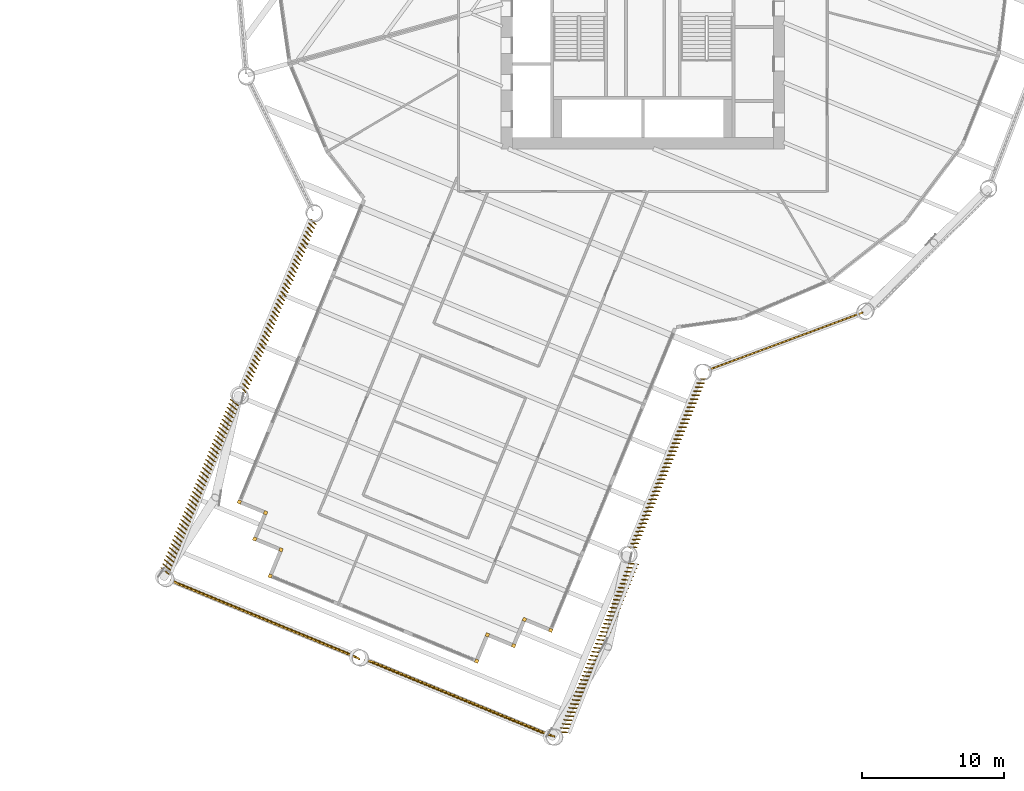
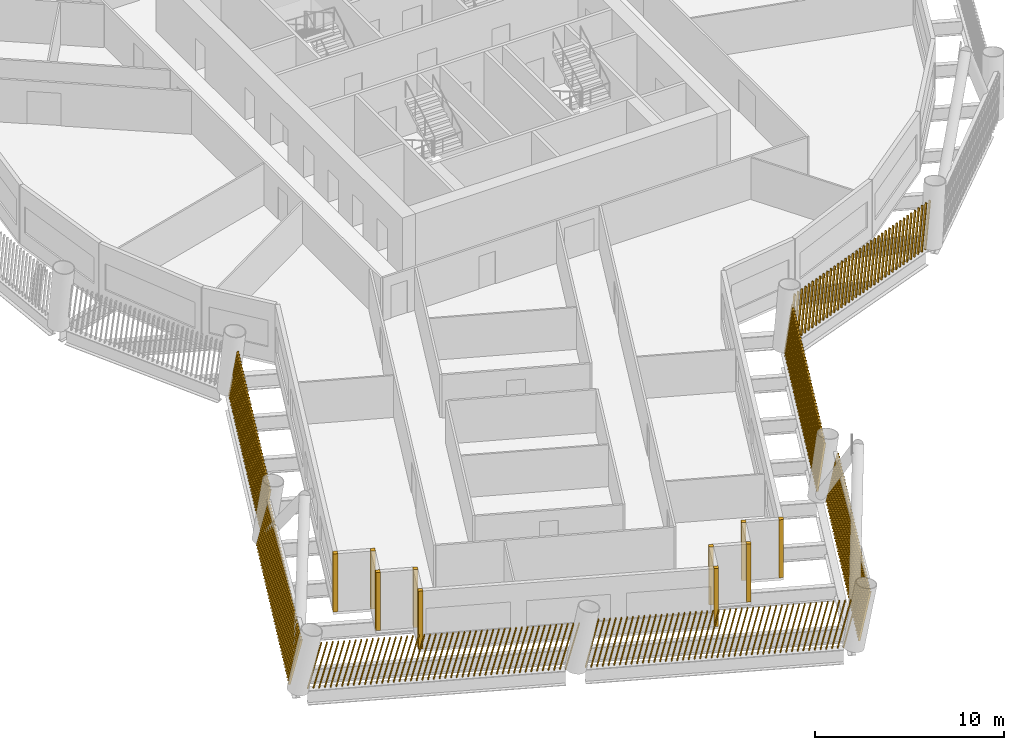
# One storey, part 18 of 23: 17 shading devices.
"""IFC4 building model written with IfcOpenShell, lengths in metres."""

from ifc_helpers import new_model, si_unit, direction, frame, frame_2d, origin, origin_2d, place, context, subcontext, project, spatial, rectangle, composite_profile, extrude, material, type_object, element, save


model = new_model("IFC4")

# Units and contexts
model_context = context("Model", 3, precision=1e-05, world=origin(), true_north=direction((0.0, 1.0)))
body_context = subcontext(model_context, "Body", "Model", "MODEL_VIEW")
ifc_project = project(units=[si_unit("LENGTHUNIT", "METRE"), si_unit("AREAUNIT", "SQUARE_METRE"), si_unit("VOLUMEUNIT", "CUBIC_METRE"), si_unit("PLANEANGLEUNIT", "RADIAN"), si_unit("MASSUNIT", "GRAM", prefix="KILO")], contexts=[model_context])

# Site, building, storey
site_placement = place(None, origin())
site = spatial("IfcSite", under=ifc_project, at=site_placement, CompositionType="ELEMENT")
building_placement = place(site_placement, origin())
building = spatial("IfcBuilding", under=site, at=building_placement, Name="Tarsis Ring Headquarters", CompositionType="ELEMENT")
storey_placement = place(building_placement, frame((0.0, 0.0, 124.0)))
storey = spatial("IfcBuildingStorey", under=building, at=storey_placement, Name="L28", CompositionType="ELEMENT", Elevation=124.0)

# Shading devices
ifc_material = material(Name="Terracotta baguette", Category="masonry")
shading_device_type_1 = type_object("IfcShadingDeviceType", Name="Terracotta baguette screen", PredefinedType="USERDEFINED", material=ifc_material)
shading_device_1_placement = place(storey_placement, frame((-23.39892578125, -17.931884765625, 0.0), z_axis=(0.0, 0.0, 1.0), x_axis=(-0.381062311957, -0.924555793139, 0.0)))
element("IfcShadingDevice", 1, at=shading_device_1_placement, inside=storey, type_object=shading_device_type_1, Name="Baguette screen L28-01", ObjectType="Terracotta baguette screen", PredefinedType="USERDEFINED", context=body_context, shape_type="SweptSolid", body=[
    extrude(composite_profile([rectangle(XDim=0.06005859375, YDim=0.1201171875, at=frame_2d((0.030029296875, 0.0))), rectangle(XDim=0.06005859375, YDim=0.1201171875, at=frame_2d((0.335693359375, 0.0))), rectangle(XDim=0.06005859375, YDim=0.1201171875, at=frame_2d((0.6416015625, 0.0))), rectangle(XDim=0.06005859375, YDim=0.1201171875, at=frame_2d((0.947265625, 0.0))), rectangle(XDim=0.06005859375, YDim=0.1201171875, at=frame_2d((1.253173828125, 0.0))), rectangle(XDim=0.06005859375, YDim=0.1201171875, at=frame_2d((1.558837890625, 0.0))), rectangle(XDim=0.06005859375, YDim=0.1201171875, at=frame_2d((1.864501953125, 0.0))), rectangle(XDim=0.06005859375, YDim=0.1201171875, at=frame_2d((2.17041015625, 0.0))), rectangle(XDim=0.06005859375, YDim=0.1201171875, at=frame_2d((2.47607421875, 0.0))), rectangle(XDim=0.06005859375, YDim=0.1201171875, at=frame_2d((2.781982421875, 0.0))), rectangle(XDim=0.06005859375, YDim=0.1201171875, at=frame_2d((3.087646484375, 0.0))), rectangle(XDim=0.06005859375, YDim=0.1201171875, at=frame_2d((3.393310546875, 0.0))), rectangle(XDim=0.06005859375, YDim=0.1201171875, at=frame_2d((3.69921875, 0.0))), rectangle(XDim=0.06005859375, YDim=0.1201171875, at=frame_2d((4.0048828125, 0.0))), rectangle(XDim=0.06005859375, YDim=0.1201171875, at=frame_2d((4.310791015625, 0.0))), rectangle(XDim=0.06005859375, YDim=0.1201171875, at=frame_2d((4.616455078125, 0.0))), rectangle(XDim=0.06005859375, YDim=0.1201171875, at=frame_2d((4.922119140625, 0.0))), rectangle(XDim=0.06005859375, YDim=0.1201171875, at=frame_2d((5.22802734375, 0.0))), rectangle(XDim=0.06005859375, YDim=0.1201171875, at=frame_2d((5.53369140625, 0.0))), rectangle(XDim=0.06005859375, YDim=0.1201171875, at=frame_2d((5.839599609375, 0.0))), rectangle(XDim=0.06005859375, YDim=0.1201171875, at=frame_2d((6.145263671875, 0.0))), rectangle(XDim=0.06005859375, YDim=0.1201171875, at=frame_2d((6.451171875, 0.0))), rectangle(XDim=0.06005859375, YDim=0.1201171875, at=frame_2d((6.7568359375, 0.0))), rectangle(XDim=0.06005859375, YDim=0.1201171875, at=frame_2d((7.0625, 0.0))), rectangle(XDim=0.06005859375, YDim=0.1201171875, at=frame_2d((7.368408203125, 0.0))), rectangle(XDim=0.06005859375, YDim=0.1201171875, at=frame_2d((7.674072265625, 0.0))), rectangle(XDim=0.06005859375, YDim=0.1201171875, at=frame_2d((7.97998046875, 0.0))), rectangle(XDim=0.06005859375, YDim=0.1201171875, at=frame_2d((8.28564453125, 0.0))), rectangle(XDim=0.06005859375, YDim=0.1201171875, at=frame_2d((8.59130859375, 0.0))), rectangle(XDim=0.06005859375, YDim=0.1201171875, at=frame_2d((8.897216796875, 0.0))), rectangle(XDim=0.06005859375, YDim=0.1201171875, at=frame_2d((9.202880859375, 0.0))), rectangle(XDim=0.06005859375, YDim=0.1201171875, at=frame_2d((9.5087890625, 0.0))), rectangle(XDim=0.06005859375, YDim=0.1201171875, at=frame_2d((9.814453125, 0.0))), rectangle(XDim=0.06005859375, YDim=0.1201171875, at=frame_2d((10.1201171875, 0.0))), rectangle(XDim=0.06005859375, YDim=0.1201171875, at=frame_2d((10.426025390625, 0.0))), rectangle(XDim=0.06005859375, YDim=0.1201171875, at=frame_2d((10.731689453125, 0.0))), rectangle(XDim=0.06005859375, YDim=0.1201171875, at=frame_2d((11.03759765625, 0.0))), rectangle(XDim=0.06005859375, YDim=0.1201171875, at=frame_2d((11.34326171875, 0.0))), rectangle(XDim=0.06005859375, YDim=0.1201171875, at=frame_2d((11.64892578125, 0.0))), rectangle(XDim=0.06005859375, YDim=0.1201171875, at=frame_2d((11.954833984375, 0.0))), rectangle(XDim=0.06005859375, YDim=0.1201171875, at=frame_2d((12.260498046875, 0.0))), rectangle(XDim=0.06005859375, YDim=0.1201171875, at=frame_2d((12.56640625, 0.0))), rectangle(XDim=0.06005859375, YDim=0.1201171875, at=frame_2d((12.8720703125, 0.0)))]), origin(), (0.066366301019, 0.145845691933, 0.987078795352), 2.9912109375),
])
shading_device_2_placement = place(storey_placement, frame((-29.043212890625, -30.642333984375, 0.0), z_axis=(0.0, 0.0, 1.0), x_axis=(-0.381074023615, -0.924538298517, 0.0)))
element("IfcShadingDevice", 2, at=shading_device_2_placement, inside=storey, type_object=shading_device_type_1, Name="Baguette screen L28-02", ObjectType="Terracotta baguette screen", PredefinedType="USERDEFINED", context=body_context, shape_type="SweptSolid", body=[
    extrude(composite_profile([rectangle(XDim=0.06005859375, YDim=0.1201171875, at=frame_2d((0.030029296875, 0.0))), rectangle(XDim=0.06005859375, YDim=0.1201171875, at=frame_2d((0.335693359375, 0.0))), rectangle(XDim=0.06005859375, YDim=0.1201171875, at=frame_2d((0.6416015625, 0.0))), rectangle(XDim=0.06005859375, YDim=0.1201171875, at=frame_2d((0.947265625, 0.0))), rectangle(XDim=0.06005859375, YDim=0.1201171875, at=frame_2d((1.253173828125, 0.0))), rectangle(XDim=0.06005859375, YDim=0.1201171875, at=frame_2d((1.558837890625, 0.0))), rectangle(XDim=0.06005859375, YDim=0.1201171875, at=frame_2d((1.864501953125, 0.0))), rectangle(XDim=0.06005859375, YDim=0.1201171875, at=frame_2d((2.17041015625, 0.0))), rectangle(XDim=0.06005859375, YDim=0.1201171875, at=frame_2d((2.47607421875, 0.0))), rectangle(XDim=0.06005859375, YDim=0.1201171875, at=frame_2d((2.781982421875, 0.0))), rectangle(XDim=0.06005859375, YDim=0.1201171875, at=frame_2d((3.087646484375, 0.0))), rectangle(XDim=0.06005859375, YDim=0.1201171875, at=frame_2d((3.393310546875, 0.0))), rectangle(XDim=0.06005859375, YDim=0.1201171875, at=frame_2d((3.69921875, 0.0))), rectangle(XDim=0.06005859375, YDim=0.1201171875, at=frame_2d((4.0048828125, 0.0))), rectangle(XDim=0.06005859375, YDim=0.1201171875, at=frame_2d((4.310791015625, 0.0))), rectangle(XDim=0.06005859375, YDim=0.1201171875, at=frame_2d((4.616455078125, 0.0))), rectangle(XDim=0.06005859375, YDim=0.1201171875, at=frame_2d((4.922119140625, 0.0))), rectangle(XDim=0.06005859375, YDim=0.1201171875, at=frame_2d((5.22802734375, 0.0))), rectangle(XDim=0.06005859375, YDim=0.1201171875, at=frame_2d((5.53369140625, 0.0))), rectangle(XDim=0.06005859375, YDim=0.1201171875, at=frame_2d((5.839599609375, 0.0))), rectangle(XDim=0.06005859375, YDim=0.1201171875, at=frame_2d((6.145263671875, 0.0))), rectangle(XDim=0.06005859375, YDim=0.1201171875, at=frame_2d((6.451171875, 0.0))), rectangle(XDim=0.06005859375, YDim=0.1201171875, at=frame_2d((6.7568359375, 0.0))), rectangle(XDim=0.06005859375, YDim=0.1201171875, at=frame_2d((7.0625, 0.0))), rectangle(XDim=0.06005859375, YDim=0.1201171875, at=frame_2d((7.368408203125, 0.0))), rectangle(XDim=0.06005859375, YDim=0.1201171875, at=frame_2d((7.674072265625, 0.0))), rectangle(XDim=0.06005859375, YDim=0.1201171875, at=frame_2d((7.97998046875, 0.0))), rectangle(XDim=0.06005859375, YDim=0.1201171875, at=frame_2d((8.28564453125, 0.0))), rectangle(XDim=0.06005859375, YDim=0.1201171875, at=frame_2d((8.59130859375, 0.0))), rectangle(XDim=0.06005859375, YDim=0.1201171875, at=frame_2d((8.897216796875, 0.0))), rectangle(XDim=0.06005859375, YDim=0.1201171875, at=frame_2d((9.202880859375, 0.0))), rectangle(XDim=0.06005859375, YDim=0.1201171875, at=frame_2d((9.5087890625, 0.0))), rectangle(XDim=0.06005859375, YDim=0.1201171875, at=frame_2d((9.814453125, 0.0))), rectangle(XDim=0.06005859375, YDim=0.1201171875, at=frame_2d((10.1201171875, 0.0))), rectangle(XDim=0.06005859375, YDim=0.1201171875, at=frame_2d((10.426025390625, 0.0))), rectangle(XDim=0.06005859375, YDim=0.1201171875, at=frame_2d((10.731689453125, 0.0))), rectangle(XDim=0.06005859375, YDim=0.1201171875, at=frame_2d((11.03759765625, 0.0))), rectangle(XDim=0.06005859375, YDim=0.1201171875, at=frame_2d((11.34326171875, 0.0))), rectangle(XDim=0.06005859375, YDim=0.1201171875, at=frame_2d((11.64892578125, 0.0))), rectangle(XDim=0.06005859375, YDim=0.1201171875, at=frame_2d((11.954833984375, 0.0))), rectangle(XDim=0.06005859375, YDim=0.1201171875, at=frame_2d((12.260498046875, 0.0))), rectangle(XDim=0.06005859375, YDim=0.1201171875, at=frame_2d((12.56640625, 0.0))), rectangle(XDim=0.06005859375, YDim=0.1201171875, at=frame_2d((12.8720703125, 0.0)))]), origin(), (0.066885612311, 0.206797369188, 0.976094853466), 3.02490234375),
])
shading_device_3_placement = place(storey_placement, frame((-33.341552734375, -43.36669921875, 0.0), z_axis=(0.0, 0.0, 1.0), x_axis=(0.92454666077, -0.381070322866, 0.0)))
element("IfcShadingDevice", 3, at=shading_device_3_placement, inside=storey, type_object=shading_device_type_1, Name="Baguette screen L28-03", ObjectType="Terracotta baguette screen", PredefinedType="USERDEFINED", context=body_context, shape_type="SweptSolid", body=[
    extrude(composite_profile([rectangle(XDim=0.06005859375, YDim=0.1201171875, at=frame_2d((0.030029296875, 0.0))), rectangle(XDim=0.06005859375, YDim=0.1201171875, at=frame_2d((0.33544921875, 0.0))), rectangle(XDim=0.06005859375, YDim=0.1201171875, at=frame_2d((0.640625, 0.0))), rectangle(XDim=0.06005859375, YDim=0.1201171875, at=frame_2d((0.946044921875, 0.0))), rectangle(XDim=0.06005859375, YDim=0.1201171875, at=frame_2d((1.25146484375, 0.0))), rectangle(XDim=0.06005859375, YDim=0.1201171875, at=frame_2d((1.556640625, 0.0))), rectangle(XDim=0.06005859375, YDim=0.1201171875, at=frame_2d((1.862060546875, 0.0))), rectangle(XDim=0.06005859375, YDim=0.1201171875, at=frame_2d((2.16748046875, 0.0))), rectangle(XDim=0.06005859375, YDim=0.1201171875, at=frame_2d((2.47265625, 0.0))), rectangle(XDim=0.06005859375, YDim=0.1201171875, at=frame_2d((2.778076171875, 0.0))), rectangle(XDim=0.06005859375, YDim=0.1201171875, at=frame_2d((3.08349609375, 0.0))), rectangle(XDim=0.06005859375, YDim=0.1201171875, at=frame_2d((3.388671875, 0.0))), rectangle(XDim=0.06005859375, YDim=0.1201171875, at=frame_2d((3.694091796875, 0.0))), rectangle(XDim=0.06005859375, YDim=0.1201171875, at=frame_2d((3.99951171875, 0.0))), rectangle(XDim=0.06005859375, YDim=0.1201171875, at=frame_2d((4.3046875, 0.0))), rectangle(XDim=0.06005859375, YDim=0.1201171875, at=frame_2d((4.610107421875, 0.0))), rectangle(XDim=0.06005859375, YDim=0.1201171875, at=frame_2d((4.91552734375, 0.0))), rectangle(XDim=0.06005859375, YDim=0.1201171875, at=frame_2d((5.220703125, 0.0))), rectangle(XDim=0.06005859375, YDim=0.1201171875, at=frame_2d((5.526123046875, 0.0))), rectangle(XDim=0.06005859375, YDim=0.1201171875, at=frame_2d((5.83154296875, 0.0))), rectangle(XDim=0.06005859375, YDim=0.1201171875, at=frame_2d((6.13671875, 0.0))), rectangle(XDim=0.06005859375, YDim=0.1201171875, at=frame_2d((6.442138671875, 0.0))), rectangle(XDim=0.06005859375, YDim=0.1201171875, at=frame_2d((6.74755859375, 0.0))), rectangle(XDim=0.06005859375, YDim=0.1201171875, at=frame_2d((7.052734375, 0.0))), rectangle(XDim=0.06005859375, YDim=0.1201171875, at=frame_2d((7.358154296875, 0.0))), rectangle(XDim=0.06005859375, YDim=0.1201171875, at=frame_2d((7.66357421875, 0.0))), rectangle(XDim=0.06005859375, YDim=0.1201171875, at=frame_2d((7.96875, 0.0))), rectangle(XDim=0.06005859375, YDim=0.1201171875, at=frame_2d((8.274169921875, 0.0))), rectangle(XDim=0.06005859375, YDim=0.1201171875, at=frame_2d((8.57958984375, 0.0))), rectangle(XDim=0.06005859375, YDim=0.1201171875, at=frame_2d((8.884765625, 0.0))), rectangle(XDim=0.06005859375, YDim=0.1201171875, at=frame_2d((9.190185546875, 0.0))), rectangle(XDim=0.06005859375, YDim=0.1201171875, at=frame_2d((9.49560546875, 0.0))), rectangle(XDim=0.06005859375, YDim=0.1201171875, at=frame_2d((9.80078125, 0.0))), rectangle(XDim=0.06005859375, YDim=0.1201171875, at=frame_2d((10.106201171875, 0.0))), rectangle(XDim=0.06005859375, YDim=0.1201171875, at=frame_2d((10.41162109375, 0.0))), rectangle(XDim=0.06005859375, YDim=0.1201171875, at=frame_2d((10.716796875, 0.0))), rectangle(XDim=0.06005859375, YDim=0.1201171875, at=frame_2d((11.022216796875, 0.0))), rectangle(XDim=0.06005859375, YDim=0.1201171875, at=frame_2d((11.32763671875, 0.0))), rectangle(XDim=0.06005859375, YDim=0.1201171875, at=frame_2d((11.6328125, 0.0))), rectangle(XDim=0.06005859375, YDim=0.1201171875, at=frame_2d((11.938232421875, 0.0))), rectangle(XDim=0.06005859375, YDim=0.1201171875, at=frame_2d((12.24365234375, 0.0))), rectangle(XDim=0.06005859375, YDim=0.1201171875, at=frame_2d((12.548828125, 0.0))), rectangle(XDim=0.06005859375, YDim=0.1201171875, at=frame_2d((12.854248046875, 0.0))), rectangle(XDim=0.06005859375, YDim=0.1201171875, at=frame_2d((13.15966796875, 0.0))), rectangle(XDim=0.06005859375, YDim=0.1201171875, at=frame_2d((13.46484375, 0.0))), rectangle(XDim=0.06005859375, YDim=0.1201171875, at=frame_2d((13.770263671875, 0.0)))]), origin(), (0.236622523588, -0.031522184954, 0.97109017768), 3.04052734375),
])
shading_device_4_placement = place(storey_placement, frame((-19.658203125, -49.006591796875, 0.0), z_axis=(0.0, 0.0, 1.0), x_axis=(0.92454666077, -0.381070322866, 0.0)))
element("IfcShadingDevice", 4, at=shading_device_4_placement, inside=storey, type_object=shading_device_type_1, Name="Baguette screen L28-04", ObjectType="Terracotta baguette screen", PredefinedType="USERDEFINED", context=body_context, shape_type="SweptSolid", body=[
    extrude(composite_profile([rectangle(XDim=0.06005859375, YDim=0.1201171875, at=frame_2d((0.030029296875, 0.0))), rectangle(XDim=0.06005859375, YDim=0.1201171875, at=frame_2d((0.33544921875, 0.0))), rectangle(XDim=0.06005859375, YDim=0.1201171875, at=frame_2d((0.640625, 0.0))), rectangle(XDim=0.06005859375, YDim=0.1201171875, at=frame_2d((0.946044921875, 0.0))), rectangle(XDim=0.06005859375, YDim=0.1201171875, at=frame_2d((1.25146484375, 0.0))), rectangle(XDim=0.06005859375, YDim=0.1201171875, at=frame_2d((1.556640625, 0.0))), rectangle(XDim=0.06005859375, YDim=0.1201171875, at=frame_2d((1.862060546875, 0.0))), rectangle(XDim=0.06005859375, YDim=0.1201171875, at=frame_2d((2.16748046875, 0.0))), rectangle(XDim=0.06005859375, YDim=0.1201171875, at=frame_2d((2.47265625, 0.0))), rectangle(XDim=0.06005859375, YDim=0.1201171875, at=frame_2d((2.778076171875, 0.0))), rectangle(XDim=0.06005859375, YDim=0.1201171875, at=frame_2d((3.08349609375, 0.0))), rectangle(XDim=0.06005859375, YDim=0.1201171875, at=frame_2d((3.388671875, 0.0))), rectangle(XDim=0.06005859375, YDim=0.1201171875, at=frame_2d((3.694091796875, 0.0))), rectangle(XDim=0.06005859375, YDim=0.1201171875, at=frame_2d((3.99951171875, 0.0))), rectangle(XDim=0.06005859375, YDim=0.1201171875, at=frame_2d((4.3046875, 0.0))), rectangle(XDim=0.06005859375, YDim=0.1201171875, at=frame_2d((4.610107421875, 0.0))), rectangle(XDim=0.06005859375, YDim=0.1201171875, at=frame_2d((4.91552734375, 0.0))), rectangle(XDim=0.06005859375, YDim=0.1201171875, at=frame_2d((5.220703125, 0.0))), rectangle(XDim=0.06005859375, YDim=0.1201171875, at=frame_2d((5.526123046875, 0.0))), rectangle(XDim=0.06005859375, YDim=0.1201171875, at=frame_2d((5.83154296875, 0.0))), rectangle(XDim=0.06005859375, YDim=0.1201171875, at=frame_2d((6.13671875, 0.0))), rectangle(XDim=0.06005859375, YDim=0.1201171875, at=frame_2d((6.442138671875, 0.0))), rectangle(XDim=0.06005859375, YDim=0.1201171875, at=frame_2d((6.74755859375, 0.0))), rectangle(XDim=0.06005859375, YDim=0.1201171875, at=frame_2d((7.052734375, 0.0))), rectangle(XDim=0.06005859375, YDim=0.1201171875, at=frame_2d((7.358154296875, 0.0))), rectangle(XDim=0.06005859375, YDim=0.1201171875, at=frame_2d((7.66357421875, 0.0))), rectangle(XDim=0.06005859375, YDim=0.1201171875, at=frame_2d((7.96875, 0.0))), rectangle(XDim=0.06005859375, YDim=0.1201171875, at=frame_2d((8.274169921875, 0.0))), rectangle(XDim=0.06005859375, YDim=0.1201171875, at=frame_2d((8.57958984375, 0.0))), rectangle(XDim=0.06005859375, YDim=0.1201171875, at=frame_2d((8.884765625, 0.0))), rectangle(XDim=0.06005859375, YDim=0.1201171875, at=frame_2d((9.190185546875, 0.0))), rectangle(XDim=0.06005859375, YDim=0.1201171875, at=frame_2d((9.49560546875, 0.0))), rectangle(XDim=0.06005859375, YDim=0.1201171875, at=frame_2d((9.80078125, 0.0))), rectangle(XDim=0.06005859375, YDim=0.1201171875, at=frame_2d((10.106201171875, 0.0))), rectangle(XDim=0.06005859375, YDim=0.1201171875, at=frame_2d((10.41162109375, 0.0))), rectangle(XDim=0.06005859375, YDim=0.1201171875, at=frame_2d((10.716796875, 0.0))), rectangle(XDim=0.06005859375, YDim=0.1201171875, at=frame_2d((11.022216796875, 0.0))), rectangle(XDim=0.06005859375, YDim=0.1201171875, at=frame_2d((11.32763671875, 0.0))), rectangle(XDim=0.06005859375, YDim=0.1201171875, at=frame_2d((11.6328125, 0.0))), rectangle(XDim=0.06005859375, YDim=0.1201171875, at=frame_2d((11.938232421875, 0.0))), rectangle(XDim=0.06005859375, YDim=0.1201171875, at=frame_2d((12.24365234375, 0.0))), rectangle(XDim=0.06005859375, YDim=0.1201171875, at=frame_2d((12.548828125, 0.0))), rectangle(XDim=0.06005859375, YDim=0.1201171875, at=frame_2d((12.854248046875, 0.0))), rectangle(XDim=0.06005859375, YDim=0.1201171875, at=frame_2d((13.15966796875, 0.0))), rectangle(XDim=0.06005859375, YDim=0.1201171875, at=frame_2d((13.46484375, 0.0))), rectangle(XDim=0.06005859375, YDim=0.1201171875, at=frame_2d((13.770263671875, 0.0)))]), origin(), (0.236171781404, 0.034740731157, 0.97109009431), 3.04052734375),
])
shading_device_5_placement = place(storey_placement, frame((-5.89990234375, -54.136474609375, 0.0), z_axis=(0.0, 0.0, 1.0), x_axis=(0.381062311957, 0.924555793139, 0.0)))
element("IfcShadingDevice", 5, at=shading_device_5_placement, inside=storey, type_object=shading_device_type_1, Name="Baguette screen L28-05", ObjectType="Terracotta baguette screen", PredefinedType="USERDEFINED", context=body_context, shape_type="SweptSolid", body=[
    extrude(composite_profile([rectangle(XDim=0.06005859375, YDim=0.1201171875, at=frame_2d((0.030029296875, 0.0))), rectangle(XDim=0.06005859375, YDim=0.1201171875, at=frame_2d((0.335693359375, 0.0))), rectangle(XDim=0.06005859375, YDim=0.1201171875, at=frame_2d((0.6416015625, 0.0))), rectangle(XDim=0.06005859375, YDim=0.1201171875, at=frame_2d((0.947265625, 0.0))), rectangle(XDim=0.06005859375, YDim=0.1201171875, at=frame_2d((1.253173828125, 0.0))), rectangle(XDim=0.06005859375, YDim=0.1201171875, at=frame_2d((1.558837890625, 0.0))), rectangle(XDim=0.06005859375, YDim=0.1201171875, at=frame_2d((1.864501953125, 0.0))), rectangle(XDim=0.06005859375, YDim=0.1201171875, at=frame_2d((2.17041015625, 0.0))), rectangle(XDim=0.06005859375, YDim=0.1201171875, at=frame_2d((2.47607421875, 0.0))), rectangle(XDim=0.06005859375, YDim=0.1201171875, at=frame_2d((2.781982421875, 0.0))), rectangle(XDim=0.06005859375, YDim=0.1201171875, at=frame_2d((3.087646484375, 0.0))), rectangle(XDim=0.06005859375, YDim=0.1201171875, at=frame_2d((3.393310546875, 0.0))), rectangle(XDim=0.06005859375, YDim=0.1201171875, at=frame_2d((3.69921875, 0.0))), rectangle(XDim=0.06005859375, YDim=0.1201171875, at=frame_2d((4.0048828125, 0.0))), rectangle(XDim=0.06005859375, YDim=0.1201171875, at=frame_2d((4.310791015625, 0.0))), rectangle(XDim=0.06005859375, YDim=0.1201171875, at=frame_2d((4.616455078125, 0.0))), rectangle(XDim=0.06005859375, YDim=0.1201171875, at=frame_2d((4.922119140625, 0.0))), rectangle(XDim=0.06005859375, YDim=0.1201171875, at=frame_2d((5.22802734375, 0.0))), rectangle(XDim=0.06005859375, YDim=0.1201171875, at=frame_2d((5.53369140625, 0.0))), rectangle(XDim=0.06005859375, YDim=0.1201171875, at=frame_2d((5.839599609375, 0.0))), rectangle(XDim=0.06005859375, YDim=0.1201171875, at=frame_2d((6.145263671875, 0.0))), rectangle(XDim=0.06005859375, YDim=0.1201171875, at=frame_2d((6.451171875, 0.0))), rectangle(XDim=0.06005859375, YDim=0.1201171875, at=frame_2d((6.7568359375, 0.0))), rectangle(XDim=0.06005859375, YDim=0.1201171875, at=frame_2d((7.0625, 0.0))), rectangle(XDim=0.06005859375, YDim=0.1201171875, at=frame_2d((7.368408203125, 0.0))), rectangle(XDim=0.06005859375, YDim=0.1201171875, at=frame_2d((7.674072265625, 0.0))), rectangle(XDim=0.06005859375, YDim=0.1201171875, at=frame_2d((7.97998046875, 0.0))), rectangle(XDim=0.06005859375, YDim=0.1201171875, at=frame_2d((8.28564453125, 0.0))), rectangle(XDim=0.06005859375, YDim=0.1201171875, at=frame_2d((8.59130859375, 0.0))), rectangle(XDim=0.06005859375, YDim=0.1201171875, at=frame_2d((8.897216796875, 0.0))), rectangle(XDim=0.06005859375, YDim=0.1201171875, at=frame_2d((9.202880859375, 0.0))), rectangle(XDim=0.06005859375, YDim=0.1201171875, at=frame_2d((9.5087890625, 0.0))), rectangle(XDim=0.06005859375, YDim=0.1201171875, at=frame_2d((9.814453125, 0.0))), rectangle(XDim=0.06005859375, YDim=0.1201171875, at=frame_2d((10.1201171875, 0.0))), rectangle(XDim=0.06005859375, YDim=0.1201171875, at=frame_2d((10.426025390625, 0.0))), rectangle(XDim=0.06005859375, YDim=0.1201171875, at=frame_2d((10.731689453125, 0.0))), rectangle(XDim=0.06005859375, YDim=0.1201171875, at=frame_2d((11.03759765625, 0.0))), rectangle(XDim=0.06005859375, YDim=0.1201171875, at=frame_2d((11.34326171875, 0.0))), rectangle(XDim=0.06005859375, YDim=0.1201171875, at=frame_2d((11.64892578125, 0.0))), rectangle(XDim=0.06005859375, YDim=0.1201171875, at=frame_2d((11.954833984375, 0.0))), rectangle(XDim=0.06005859375, YDim=0.1201171875, at=frame_2d((12.260498046875, 0.0))), rectangle(XDim=0.06005859375, YDim=0.1201171875, at=frame_2d((12.56640625, 0.0))), rectangle(XDim=0.06005859375, YDim=0.1201171875, at=frame_2d((12.8720703125, 0.0)))]), origin(), (0.06969426713, -0.205870601916, 0.976094259995), 3.02490234375),
])
shading_device_6_placement = place(storey_placement, frame((-0.948974609375, -41.140380859375, 0.0), z_axis=(0.0, 0.0, 1.0), x_axis=(0.381074023615, 0.924538298517, 0.0)))
element("IfcShadingDevice", 6, at=shading_device_6_placement, inside=storey, type_object=shading_device_type_1, Name="Baguette screen L28-06", ObjectType="Terracotta baguette screen", PredefinedType="USERDEFINED", context=body_context, shape_type="SweptSolid", body=[
    extrude(composite_profile([rectangle(XDim=0.06005859375, YDim=0.1201171875, at=frame_2d((0.030029296875, 0.0))), rectangle(XDim=0.06005859375, YDim=0.1201171875, at=frame_2d((0.335693359375, 0.0))), rectangle(XDim=0.06005859375, YDim=0.1201171875, at=frame_2d((0.6416015625, 0.0))), rectangle(XDim=0.06005859375, YDim=0.1201171875, at=frame_2d((0.947265625, 0.0))), rectangle(XDim=0.06005859375, YDim=0.1201171875, at=frame_2d((1.253173828125, 0.0))), rectangle(XDim=0.06005859375, YDim=0.1201171875, at=frame_2d((1.558837890625, 0.0))), rectangle(XDim=0.06005859375, YDim=0.1201171875, at=frame_2d((1.864501953125, 0.0))), rectangle(XDim=0.06005859375, YDim=0.1201171875, at=frame_2d((2.17041015625, 0.0))), rectangle(XDim=0.06005859375, YDim=0.1201171875, at=frame_2d((2.47607421875, 0.0))), rectangle(XDim=0.06005859375, YDim=0.1201171875, at=frame_2d((2.781982421875, 0.0))), rectangle(XDim=0.06005859375, YDim=0.1201171875, at=frame_2d((3.087646484375, 0.0))), rectangle(XDim=0.06005859375, YDim=0.1201171875, at=frame_2d((3.393310546875, 0.0))), rectangle(XDim=0.06005859375, YDim=0.1201171875, at=frame_2d((3.69921875, 0.0))), rectangle(XDim=0.06005859375, YDim=0.1201171875, at=frame_2d((4.0048828125, 0.0))), rectangle(XDim=0.06005859375, YDim=0.1201171875, at=frame_2d((4.310791015625, 0.0))), rectangle(XDim=0.06005859375, YDim=0.1201171875, at=frame_2d((4.616455078125, 0.0))), rectangle(XDim=0.06005859375, YDim=0.1201171875, at=frame_2d((4.922119140625, 0.0))), rectangle(XDim=0.06005859375, YDim=0.1201171875, at=frame_2d((5.22802734375, 0.0))), rectangle(XDim=0.06005859375, YDim=0.1201171875, at=frame_2d((5.53369140625, 0.0))), rectangle(XDim=0.06005859375, YDim=0.1201171875, at=frame_2d((5.839599609375, 0.0))), rectangle(XDim=0.06005859375, YDim=0.1201171875, at=frame_2d((6.145263671875, 0.0))), rectangle(XDim=0.06005859375, YDim=0.1201171875, at=frame_2d((6.451171875, 0.0))), rectangle(XDim=0.06005859375, YDim=0.1201171875, at=frame_2d((6.7568359375, 0.0))), rectangle(XDim=0.06005859375, YDim=0.1201171875, at=frame_2d((7.0625, 0.0))), rectangle(XDim=0.06005859375, YDim=0.1201171875, at=frame_2d((7.368408203125, 0.0))), rectangle(XDim=0.06005859375, YDim=0.1201171875, at=frame_2d((7.674072265625, 0.0))), rectangle(XDim=0.06005859375, YDim=0.1201171875, at=frame_2d((7.97998046875, 0.0))), rectangle(XDim=0.06005859375, YDim=0.1201171875, at=frame_2d((8.28564453125, 0.0))), rectangle(XDim=0.06005859375, YDim=0.1201171875, at=frame_2d((8.59130859375, 0.0))), rectangle(XDim=0.06005859375, YDim=0.1201171875, at=frame_2d((8.897216796875, 0.0))), rectangle(XDim=0.06005859375, YDim=0.1201171875, at=frame_2d((9.202880859375, 0.0))), rectangle(XDim=0.06005859375, YDim=0.1201171875, at=frame_2d((9.5087890625, 0.0))), rectangle(XDim=0.06005859375, YDim=0.1201171875, at=frame_2d((9.814453125, 0.0))), rectangle(XDim=0.06005859375, YDim=0.1201171875, at=frame_2d((10.1201171875, 0.0))), rectangle(XDim=0.06005859375, YDim=0.1201171875, at=frame_2d((10.426025390625, 0.0))), rectangle(XDim=0.06005859375, YDim=0.1201171875, at=frame_2d((10.731689453125, 0.0))), rectangle(XDim=0.06005859375, YDim=0.1201171875, at=frame_2d((11.03759765625, 0.0))), rectangle(XDim=0.06005859375, YDim=0.1201171875, at=frame_2d((11.34326171875, 0.0))), rectangle(XDim=0.06005859375, YDim=0.1201171875, at=frame_2d((11.64892578125, 0.0))), rectangle(XDim=0.06005859375, YDim=0.1201171875, at=frame_2d((11.954833984375, 0.0))), rectangle(XDim=0.06005859375, YDim=0.1201171875, at=frame_2d((12.260498046875, 0.0))), rectangle(XDim=0.06005859375, YDim=0.1201171875, at=frame_2d((12.56640625, 0.0))), rectangle(XDim=0.06005859375, YDim=0.1201171875, at=frame_2d((12.8720703125, 0.0)))]), origin(), (0.068343761447, -0.144927403442, 0.987079114359), 2.9912109375),
])
shading_device_7_placement = place(storey_placement, frame((4.626953125, -28.574951171875, 0.0), z_axis=(0.0, 0.0, 1.0), x_axis=(0.937276180141, 0.348583830711, 0.0)))
element("IfcShadingDevice", 7, at=shading_device_7_placement, inside=storey, type_object=shading_device_type_1, Name="Baguette screen L28-07", ObjectType="Terracotta baguette screen", PredefinedType="USERDEFINED", context=body_context, shape_type="SweptSolid", body=[
    extrude(composite_profile([rectangle(XDim=0.06005859375, YDim=0.1201171875, at=frame_2d((0.030029296875, 0.0))), rectangle(XDim=0.06005859375, YDim=0.1201171875, at=frame_2d((0.33251953125, 0.0))), rectangle(XDim=0.06005859375, YDim=0.1201171875, at=frame_2d((0.634765625, 0.0))), rectangle(XDim=0.06005859375, YDim=0.1201171875, at=frame_2d((0.937255859375, 0.0))), rectangle(XDim=0.06005859375, YDim=0.1201171875, at=frame_2d((1.239501953125, 0.0))), rectangle(XDim=0.06005859375, YDim=0.1201171875, at=frame_2d((1.5419921875, 0.0))), rectangle(XDim=0.06005859375, YDim=0.1201171875, at=frame_2d((1.844482421875, 0.0))), rectangle(XDim=0.06005859375, YDim=0.1201171875, at=frame_2d((2.146728515625, 0.0))), rectangle(XDim=0.06005859375, YDim=0.1201171875, at=frame_2d((2.44921875, 0.0))), rectangle(XDim=0.06005859375, YDim=0.1201171875, at=frame_2d((2.751708984375, 0.0))), rectangle(XDim=0.06005859375, YDim=0.1201171875, at=frame_2d((3.053955078125, 0.0))), rectangle(XDim=0.06005859375, YDim=0.1201171875, at=frame_2d((3.3564453125, 0.0))), rectangle(XDim=0.06005859375, YDim=0.1201171875, at=frame_2d((3.65869140625, 0.0))), rectangle(XDim=0.06005859375, YDim=0.1201171875, at=frame_2d((3.961181640625, 0.0))), rectangle(XDim=0.06005859375, YDim=0.1201171875, at=frame_2d((4.263671875, 0.0))), rectangle(XDim=0.06005859375, YDim=0.1201171875, at=frame_2d((4.56591796875, 0.0))), rectangle(XDim=0.06005859375, YDim=0.1201171875, at=frame_2d((4.868408203125, 0.0))), rectangle(XDim=0.06005859375, YDim=0.1201171875, at=frame_2d((5.1708984375, 0.0))), rectangle(XDim=0.06005859375, YDim=0.1201171875, at=frame_2d((5.47314453125, 0.0))), rectangle(XDim=0.06005859375, YDim=0.1201171875, at=frame_2d((5.775634765625, 0.0))), rectangle(XDim=0.06005859375, YDim=0.1201171875, at=frame_2d((6.077880859375, 0.0))), rectangle(XDim=0.06005859375, YDim=0.1201171875, at=frame_2d((6.38037109375, 0.0))), rectangle(XDim=0.06005859375, YDim=0.1201171875, at=frame_2d((6.682861328125, 0.0))), rectangle(XDim=0.06005859375, YDim=0.1201171875, at=frame_2d((6.985107421875, 0.0))), rectangle(XDim=0.06005859375, YDim=0.1201171875, at=frame_2d((7.28759765625, 0.0))), rectangle(XDim=0.06005859375, YDim=0.1201171875, at=frame_2d((7.590087890625, 0.0))), rectangle(XDim=0.06005859375, YDim=0.1201171875, at=frame_2d((7.892333984375, 0.0))), rectangle(XDim=0.06005859375, YDim=0.1201171875, at=frame_2d((8.19482421875, 0.0))), rectangle(XDim=0.06005859375, YDim=0.1201171875, at=frame_2d((8.4970703125, 0.0))), rectangle(XDim=0.06005859375, YDim=0.1201171875, at=frame_2d((8.799560546875, 0.0))), rectangle(XDim=0.06005859375, YDim=0.1201171875, at=frame_2d((9.10205078125, 0.0))), rectangle(XDim=0.06005859375, YDim=0.1201171875, at=frame_2d((9.404296875, 0.0))), rectangle(XDim=0.06005859375, YDim=0.1201171875, at=frame_2d((9.706787109375, 0.0))), rectangle(XDim=0.06005859375, YDim=0.1201171875, at=frame_2d((10.00927734375, 0.0))), rectangle(XDim=0.06005859375, YDim=0.1201171875, at=frame_2d((10.3115234375, 0.0))), rectangle(XDim=0.06005859375, YDim=0.1201171875, at=frame_2d((10.614013671875, 0.0))), rectangle(XDim=0.06005859375, YDim=0.1201171875, at=frame_2d((10.916259765625, 0.0))), rectangle(XDim=0.06005859375, YDim=0.1201171875, at=frame_2d((11.21875, 0.0)))]), origin(), (0.129809996715, 0.000884846711, 0.991538492344), 2.977783203125),
])
shading_device_type_2 = type_object("IfcShadingDeviceType", Name="Terracotta corner baguette 250x250", PredefinedType="USERDEFINED", material=ifc_material)
for number, where, z_axis, x_axis, name in (
    (8, (-28.460693359375, -37.888427734375, 0.0), (0.0, 0.0, 1.0), (-0.381070360214, -0.924546040263, 0.0), "Corner baguette L28-07"),
    (9, (-26.611572265625, -38.650390625, 0.0), (0.0, 0.0, 1.0), (0.924546060216, -0.381070311805, 0.0), "Corner baguette L28-08"),
    (10, (-27.37353515625, -40.49951171875, 0.0), (0.0, 0.0, 1.0), (-0.381070666805, -0.924545913895, 0.0), "Corner baguette L28-09"),
    (11, (-25.524658203125, -41.26171875, 0.0), (0.0, 0.0, 1.0), (0.924545913895, -0.381070666805, 0.0), "Corner baguette L28-10"),
    (12, (-26.28662109375, -43.11083984375, 0.0), (0.0, 0.0, 1.0), (-0.381069892259, -0.92454623314, 0.0), "Corner baguette L28-11"),
    (13, (-11.72509765625, -49.112548828125, 0.0), (0.0, 0.0, 1.0), (0.924546053565, -0.381070327941, 0.0), "Corner baguette L28-12"),
    (14, (-10.962890625, -47.263671875, 0.0), (0.0, 0.0, 1.0), (0.381070666805, 0.924545913895, 0.0), "Corner baguette L28-13"),
    (15, (-9.11376953125, -48.025634765625, 0.0), (0.0, 0.0, 1.0), (0.92454623314, -0.381069892259, 0.0), "Corner baguette L28-14"),
    (16, (-8.351806640625, -46.176513671875, 0.0), (0.0, 0.0, 1.0), (0.381070069759, 0.92454615998, 0.0), "Corner baguette L28-15"),
    (17, (-6.502685546875, -46.938720703125, 0.0), (0.0, 0.0, 1.0), (0.924545987056, -0.381070489305, 0.0), "Corner baguette L28-16"),
):
    element("IfcShadingDevice", number, at=place(storey_placement, frame(where, z_axis=z_axis, x_axis=x_axis)), inside=storey, type_object=shading_device_type_2, Name=name, ObjectType="Terracotta corner baguette", PredefinedType="USERDEFINED", context=body_context, shape_type="SweptSolid", body=[
        extrude(rectangle(XDim=0.25, YDim=0.25, at=origin_2d()), origin(), (0.0, 0.0, 1.0), 3.739990234375),
    ])

save(model, "model.ifc")
